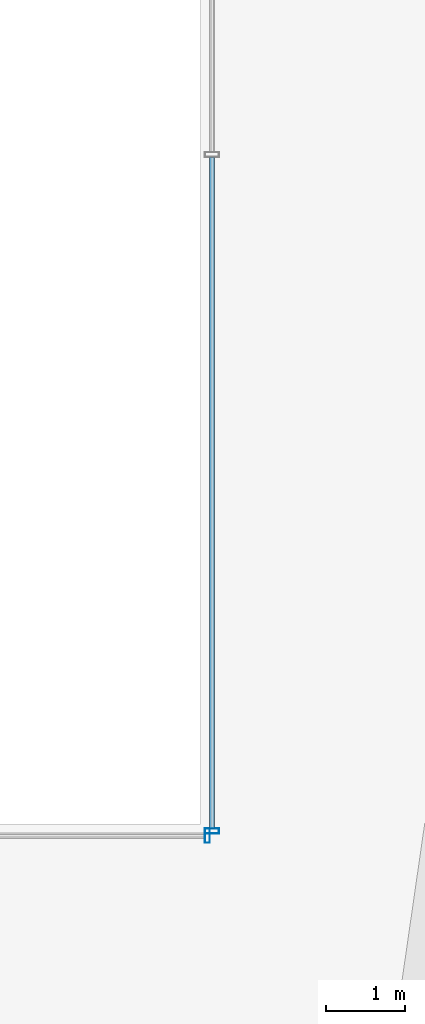
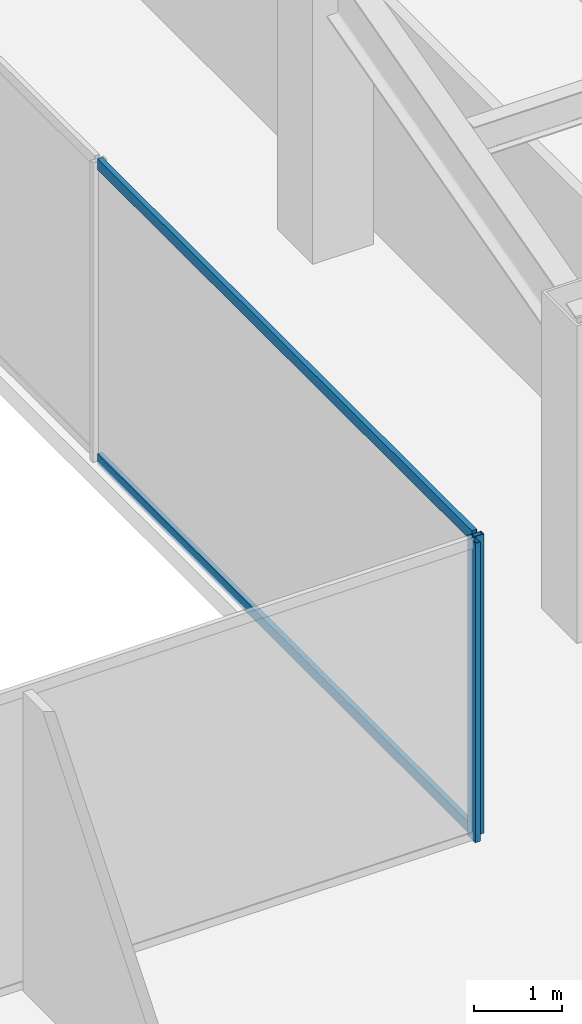
# One storey, part 18 of 47: 4 members, 2 elements without a shape of their own.
"""IFC4 building model written with IfcOpenShell, lengths in metres."""

from ifc_helpers import new_model, si_unit, direction, frame, origin, origin_2d, place, context, subcontext, project, spatial, hollow_rectangle, extrude, material, material_profile, profile_set, type_object, element, aggregate, save


model = new_model("IFC4")

# Units and contexts
model_context = context("Model", 3, precision=1e-05, world=origin(), true_north=direction((0.0, 1.0)))
body_context = subcontext(model_context, "Body", "Model", "MODEL_VIEW")
ifc_project = project(units=[si_unit("LENGTHUNIT", "METRE"), si_unit("AREAUNIT", "SQUARE_METRE"), si_unit("VOLUMEUNIT", "CUBIC_METRE"), si_unit("PLANEANGLEUNIT", "RADIAN"), si_unit("MASSUNIT", "GRAM", prefix="KILO")], contexts=[model_context])

# Site, building, storey
site_placement = place(None, origin())
site = spatial("IfcSite", under=ifc_project, at=site_placement, CompositionType="ELEMENT")
building_placement = place(site_placement, origin())
building = spatial("IfcBuilding", under=site, at=building_placement, Name="Saevonmaru Cultural Tower", CompositionType="ELEMENT")
storey_placement = place(building_placement, frame((0.0, 0.0, 56.0)))
storey = spatial("IfcBuildingStorey", under=building, at=storey_placement, Name="L11", CompositionType="ELEMENT", Elevation=56.0)

# Curtain wall, member
ifc_material = material(Name="Satin Bronze Anodised Aluminium", Category="aluminium")
curtain_wall_type = type_object("IfcCurtainWallType", Name="CW-ATR-GLZ", PredefinedType="NOTDEFINED", material=ifc_material)
curtain_wall_1_placement = place(storey_placement, origin())
curtain_wall_1 = element("IfcCurtainWall", 1, at=curtain_wall_1_placement, inside=storey, type_object=curtain_wall_type, Name="L11 Vertical Atrium Glazed Smoke Screen 1", PredefinedType="NOTDEFINED")
ifc_material_profile_1 = material_profile(ifc_material, hollow_rectangle(XDim=0.06494140625, YDim=0.179931640625, WallThickness=0.00390625, at=origin_2d()), Name="ALU-MULL-180x65x4")
ifc_profile_set_1 = profile_set([ifc_material_profile_1], Name="Satin Bronze Anodised Aluminium")
member_type_1 = type_object("IfcMemberType", Name="ML-CW-INT-180x65", PredefinedType="MULLION", material=ifc_profile_set_1)
member_1_placement = place(storey_placement, frame((35.889892578125, 20.85009765625, 0.0), z_axis=(0.0, 0.0, 1.0), x_axis=(1.0, 0.0, 0.0)))
member_1 = element("IfcMember", 2, at=member_1_placement, type_object=member_type_1, Name="CW-ATR-L11-1 mullion 2", PredefinedType="MULLION", context=body_context, shape_type="SweptSolid", body=[
    extrude(hollow_rectangle(XDim=0.06494140625, YDim=0.179931640625, WallThickness=0.00390625, at=origin_2d()), origin(), (0.0, 0.0, 1.0), 4.14990234375),
])
aggregate(curtain_wall_1, [member_1])

# Curtain wall, members
curtain_wall_2_placement = place(storey_placement, origin())
curtain_wall_2 = element("IfcCurtainWall", 3, at=curtain_wall_2_placement, inside=storey, type_object=curtain_wall_type, Name="L11 Vertical Atrium Glazed Smoke Screen 2", PredefinedType="NOTDEFINED")
member_2_placement = place(storey_placement, frame((35.949951171875, 20.909912109375, 0.0), z_axis=(0.0, 0.0, 1.0), x_axis=(0.0, 1.0, 0.0)))
member_2 = element("IfcMember", 4, at=member_2_placement, type_object=member_type_1, Name="CW-ATR-L11-2 mullion 1", PredefinedType="MULLION", context=body_context, shape_type="SweptSolid", body=[
    extrude(hollow_rectangle(XDim=0.06494140625, YDim=0.179931640625, WallThickness=0.00390625, at=origin_2d()), origin(), (0.0, 0.0, 1.0), 4.14990234375),
])
ifc_material_profile_2 = material_profile(ifc_material, hollow_rectangle(XDim=0.06494140625, YDim=0.14990234375, WallThickness=0.00390625, at=origin_2d()), Name="ALU-TRAN-150x65x4")
ifc_profile_set_2 = profile_set([ifc_material_profile_2], Name="Satin Bronze Anodised Aluminium")
member_type_2 = type_object("IfcMemberType", Name="TR-CW-INT-150x65", PredefinedType="USERDEFINED", material=ifc_profile_set_2)
member_3_placement = place(storey_placement, frame((35.949951171875, 20.9423828125, 0.032470703125), z_axis=(0.0, 1.0, 0.0), x_axis=(-1.0, 0.0, 0.0)))
member_3 = element("IfcMember", 5, at=member_3_placement, type_object=member_type_2, Name="CW-ATR-L11-2 transom 1.1", ObjectType="TRANSOM", PredefinedType="USERDEFINED", context=body_context, shape_type="SweptSolid", body=[
    extrude(hollow_rectangle(XDim=0.06494140625, YDim=0.14990234375, WallThickness=0.00390625, at=origin_2d()), origin(), (0.0, 0.0, 1.0), 8.505126953125),
])
member_4_placement = place(storey_placement, frame((35.949951171875, 20.9423828125, 4.117431640625), z_axis=(0.0, 1.0, 0.0), x_axis=(-1.0, 0.0, 0.0)))
member_4 = element("IfcMember", 6, at=member_4_placement, type_object=member_type_2, Name="CW-ATR-L11-2 transom 1.2", ObjectType="TRANSOM", PredefinedType="USERDEFINED", context=body_context, shape_type="SweptSolid", body=[
    extrude(hollow_rectangle(XDim=0.06494140625, YDim=0.14990234375, WallThickness=0.00390625, at=origin_2d()), origin(), (0.0, 0.0, 1.0), 8.505126953125),
])
aggregate(curtain_wall_2, [member_2, member_3, member_4])

save(model, "model.ifc")
